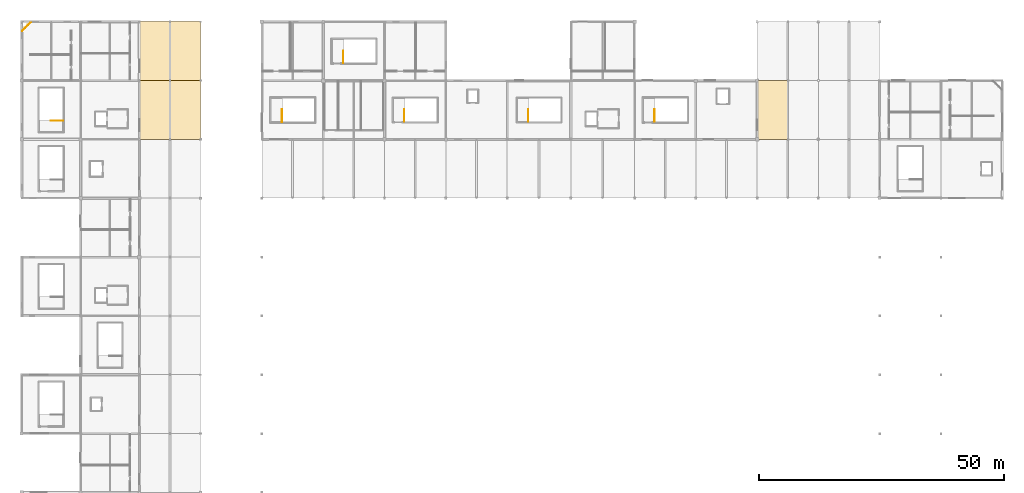
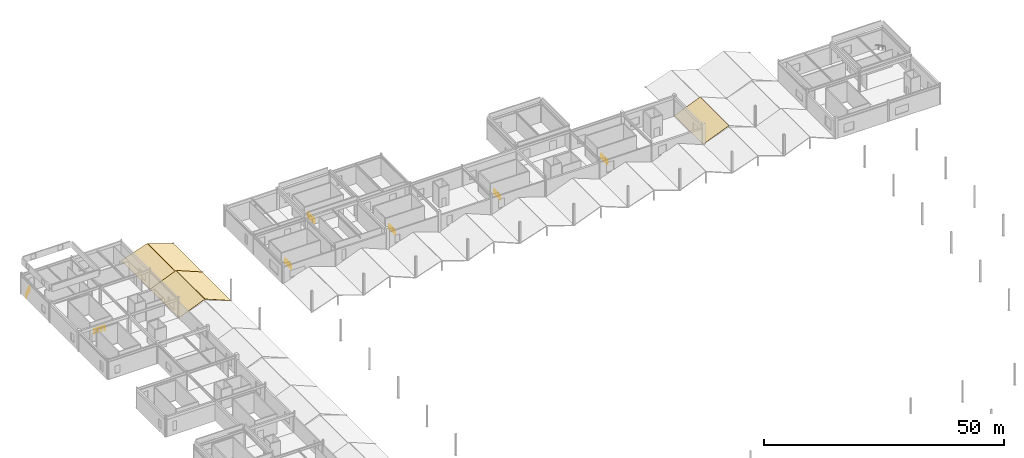
# One storey, part 75 of 76: 7 railings, 5 coverings.
"""IFC4 building model written with IfcOpenShell, lengths in metres."""

from ifc_helpers import new_model, si_unit, direction, frame, origin, origin_2d, place, context, subcontext, project, spatial, polyline, circle, outline, extrude, material, layer, layer_set, type_object, element, save


model = new_model("IFC4")

# Units and contexts
model_context = context("Model", 3, precision=1e-05, world=origin(), true_north=direction((0.0, 1.0)))
body_context = subcontext(model_context, "Body", "Model", "MODEL_VIEW")
ifc_project = project(units=[si_unit("LENGTHUNIT", "METRE"), si_unit("AREAUNIT", "SQUARE_METRE"), si_unit("VOLUMEUNIT", "CUBIC_METRE"), si_unit("PLANEANGLEUNIT", "RADIAN"), si_unit("MASSUNIT", "GRAM", prefix="KILO")], contexts=[model_context])

# Site, building, storey
site_placement = place(None, origin())
site = spatial("IfcSite", under=ifc_project, at=site_placement, CompositionType="ELEMENT")
building_placement = place(site_placement, origin())
building = spatial("IfcBuilding", under=site, at=building_placement, Name="Kazenohara Klinker Stadium", CompositionType="ELEMENT")
storey_placement = place(building_placement, frame((0.0, 0.0, 25.800048828125)))
storey = spatial("IfcBuildingStorey", under=building, at=storey_placement, Name="L05", CompositionType="ELEMENT", Elevation=25.800048828125)

# Coverings
ifc_material_1 = material(Name="Insulated standing-seam copper roofing", Category="metal")
ifc_layer_1 = layer(ifc_material_1, 0.050048828125)
ifc_layer_set_1 = layer_set([ifc_layer_1], Name="Insulated standing-seam copper roofing")
covering_type = type_object("IfcCoveringType", Name="COV-ROOF-01", PredefinedType="ROOFING", material=ifc_layer_set_1)
for number, where, z_axis, x_axis, name in (
    (1, (24.0, 144.0, -0.030029296875), (-0.380383442935, 0.0, 0.924828868678), (0.924828868678, 0.0, 0.380383442935), "Standing-seam copper stepped wing roofing L05-A 3/N"),
    (2, (30.300048828125, 144.0, 2.52001953125), (0.380383442935, 0.0, 0.924828868678), (0.924828868678, 0.0, -0.380383442935), "Standing-seam copper stepped wing roofing L05-B 3/N"),
):
    element("IfcCovering", number, at=place(storey_placement, frame(where, z_axis=z_axis, x_axis=x_axis)), inside=storey, type_object=covering_type, Name=name, PredefinedType="ROOFING", context=body_context, shape_type="SweptSolid", body=[
        extrude(outline(polyline([(0.0, 0.0), (6.703890181040846, 0.0), (6.703890181040846, 12.0), (0.0, 12.0), (0.0, 0.0)])), origin(), (0.0, 0.0, -1.0), 0.050048828125),
    ])
for number, where, z_axis, x_axis, name in (
    (3, (24.0, 156.0, -0.030029296875), (-0.327622925614, 0.0, 0.944808561886), (0.944808561886, 0.0, 0.327622925614), "Standing-seam copper stepped wing roofing L05-A 3/P"),
    (4, (30.300048828125, 156.0, 2.119873046875), (0.327622925614, 0.0, 0.944808561886), (0.944808561886, 0.0, -0.327622925614), "Standing-seam copper stepped wing roofing L05-B 3/P"),
):
    element("IfcCovering", number, at=place(storey_placement, frame(where, z_axis=z_axis, x_axis=x_axis)), inside=storey, type_object=covering_type, Name=name, PredefinedType="ROOFING", context=body_context, shape_type="SweptSolid", body=[
        extrude(outline(polyline([(0.0, 0.0), (6.5621242461032345, 0.0), (6.5621242461032345, 12.0), (0.0, 12.0), (0.0, 0.0)])), origin(), (0.0, 0.0, -1.0), 0.050048828125),
    ])
covering_placement = place(storey_placement, frame((150.0, 144.0, -0.030029296875), z_axis=(-0.380383442935, 0.0, 0.924828868678), x_axis=(0.924828868678, 0.0, 0.380383442935)))
element("IfcCovering", 5, at=covering_placement, inside=storey, type_object=covering_type, Name="Standing-seam copper stepped wing roofing L05-A 13/N", PredefinedType="ROOFING", context=body_context, shape_type="SweptSolid", body=[
    extrude(outline(polyline([(0.0, 0.0), (6.703890181040846, 0.0), (6.703890181040846, 12.0), (0.0, 12.0), (0.0, 0.0)])), origin(), (0.0, 0.0, -1.0), 0.050048828125),
])

# Railings
ifc_material_2 = material(Name="Galvanised powder-coated steel guardrail", Category="steel")
ifc_layer_2 = layer(ifc_material_2, 0.070068359375)
ifc_layer_set_2 = layer_set([ifc_layer_2], Name="Galvanised powder-coated steel guardrail")
railing_type_1 = type_object("IfcRailingType", Name="RL-GRD-1150", PredefinedType="GUARDRAIL", material=ifc_layer_set_2)
railing_1_placement = place(storey_placement, frame((1.8798828125, 167.919921875, 0.0)))
element("IfcRailing", 6, at=railing_1_placement, inside=storey, type_object=railing_type_1, Name="Corner chamfer slab-edge guardrail GR01-SLB-L05-00-13", PredefinedType="GUARDRAIL", context=body_context, shape_type="SweptSolid", body=[
    extrude(circle(Radius=0.02392578125, at=origin_2d()), frame((0.0, 0.0, 1.1259765625), z_axis=(-0.707106781187, -0.707106781187, 0.0), x_axis=(0.707106781187, -0.707106781187, 0.0)), (0.0, 0.0, 1.0), 2.54541015625),
    extrude(circle(Radius=0.02099609375, at=origin_2d()), origin(), (0.0, 0.0, 1.0), 1.101806640625),
    extrude(circle(Radius=0.02099609375, at=origin_2d()), frame((-0.599853515625, -0.599853515625, 0.0)), (0.0, 0.0, 1.0), 1.101806640625),
    extrude(circle(Radius=0.02099609375, at=origin_2d()), frame((-1.199951171875, -1.199951171875, 0.0)), (0.0, 0.0, 1.0), 1.101806640625),
    extrude(circle(Radius=0.02099609375, at=origin_2d()), frame((-1.7998046875, -1.7998046875, 0.0)), (0.0, 0.0, 1.0), 1.101806640625),
])
ifc_material_3 = material(Name="Painted steel stairwell guardrail", Category="steel")
ifc_layer_3 = layer(ifc_material_3, 0.06005859375)
ifc_layer_set_3 = layer_set([ifc_layer_3], Name="Painted steel stairwell guardrail")
railing_type_2 = type_object("IfcRailingType", Name="RL-STG-1120", PredefinedType="GUARDRAIL", material=ifc_layer_set_3)
railing_2_placement = place(storey_placement, frame((8.409912109375, 147.800048828125, 0.0)))
element("IfcRailing", 7, at=railing_2_placement, inside=storey, type_object=railing_type_2, Name="L05 ST06 top well guard 1", PredefinedType="GUARDRAIL", context=body_context, shape_type="SweptSolid", body=[
    extrude(circle(Radius=0.02392578125, at=origin_2d()), frame((0.0, 0.0, 1.1259765625), z_axis=(-1.0, 0.0, 0.0), x_axis=(0.0, -1.0, 0.0)), (0.0, 0.0, 1.0), 2.510009765625),
    extrude(circle(Radius=0.02099609375, at=origin_2d()), origin(), (0.0, 0.0, 1.0), 1.101806640625),
    extrude(circle(Radius=0.02099609375, at=origin_2d()), frame((-0.836669921875, 0.0, 0.0)), (0.0, 0.0, 1.0), 1.101806640625),
    extrude(circle(Radius=0.02099609375, at=origin_2d()), frame((-1.67333984375, 0.0, 0.0)), (0.0, 0.0, 1.0), 1.101806640625),
    extrude(circle(Radius=0.02099609375, at=origin_2d()), frame((-2.510009765625, 0.0, 0.0)), (0.0, 0.0, 1.0), 1.101806640625),
])
railing_3_placement = place(storey_placement, frame((53.080078125, 147.56005859375, 0.0)))
element("IfcRailing", 8, at=railing_3_placement, inside=storey, type_object=railing_type_2, Name="L05 ST08 top well guard 1", PredefinedType="GUARDRAIL", context=body_context, shape_type="SweptSolid", body=[
    extrude(circle(Radius=0.02392578125, at=origin_2d()), frame((0.0, 0.0, 1.1259765625), z_axis=(0.0, 1.0, 0.0), x_axis=(-1.0, 0.0, 0.0)), (0.0, 0.0, 1.0), 2.5400390625),
    extrude(circle(Radius=0.02099609375, at=origin_2d()), origin(), (0.0, 0.0, 1.0), 1.101806640625),
    extrude(circle(Radius=0.02099609375, at=origin_2d()), frame((0.0, 0.8466796875, 0.0)), (0.0, 0.0, 1.0), 1.101806640625),
    extrude(circle(Radius=0.02099609375, at=origin_2d()), frame((0.0, 1.693359375, 0.0)), (0.0, 0.0, 1.0), 1.101806640625),
    extrude(circle(Radius=0.02099609375, at=origin_2d()), frame((0.0, 2.5400390625, 0.0)), (0.0, 0.0, 1.0), 1.101806640625),
])
railing_4_placement = place(storey_placement, frame((78.0400390625, 147.60009765625, 0.0)))
element("IfcRailing", 9, at=railing_4_placement, inside=storey, type_object=railing_type_2, Name="L05 ST09 top well guard 1", PredefinedType="GUARDRAIL", context=body_context, shape_type="SweptSolid", body=[
    extrude(circle(Radius=0.02392578125, at=origin_2d()), frame((0.0, 0.0, 1.1259765625), z_axis=(0.0, 1.0, 0.0), x_axis=(-1.0, 0.0, 0.0)), (0.0, 0.0, 1.0), 2.5),
    extrude(circle(Radius=0.02099609375, at=origin_2d()), origin(), (0.0, 0.0, 1.0), 1.101806640625),
    extrude(circle(Radius=0.02099609375, at=origin_2d()), frame((0.0, 0.833251953125, 0.0)), (0.0, 0.0, 1.0), 1.101806640625),
    extrude(circle(Radius=0.02099609375, at=origin_2d()), frame((0.0, 1.666748046875, 0.0)), (0.0, 0.0, 1.0), 1.101806640625),
    extrude(circle(Radius=0.02099609375, at=origin_2d()), frame((0.0, 2.5, 0.0)), (0.0, 0.0, 1.0), 1.101806640625),
])
railing_5_placement = place(storey_placement, frame((103.300048828125, 147.590087890625, 0.0)))
element("IfcRailing", 10, at=railing_5_placement, inside=storey, type_object=railing_type_2, Name="L05 ST10 top well guard 1", PredefinedType="GUARDRAIL", context=body_context, shape_type="SweptSolid", body=[
    extrude(circle(Radius=0.02392578125, at=origin_2d()), frame((0.0, 0.0, 1.1259765625), z_axis=(0.0, 1.0, 0.0), x_axis=(-1.0, 0.0, 0.0)), (0.0, 0.0, 1.0), 2.510009765625),
    extrude(circle(Radius=0.02099609375, at=origin_2d()), origin(), (0.0, 0.0, 1.0), 1.101806640625),
    extrude(circle(Radius=0.02099609375, at=origin_2d()), frame((0.0, 0.836669921875, 0.0)), (0.0, 0.0, 1.0), 1.101806640625),
    extrude(circle(Radius=0.02099609375, at=origin_2d()), frame((0.0, 1.67333984375, 0.0)), (0.0, 0.0, 1.0), 1.101806640625),
    extrude(circle(Radius=0.02099609375, at=origin_2d()), frame((0.0, 2.510009765625, 0.0)), (0.0, 0.0, 1.0), 1.101806640625),
])
for number, where, name in (
    (11, (129.070068359375, 147.570068359375, 0.0), "L05 ST11 top well guard 1"),
    (12, (65.570068359375, 159.570068359375, 0.0), "L05 ST15 top well guard 1"),
):
    element("IfcRailing", number, at=place(storey_placement, frame(where)), inside=storey, type_object=railing_type_2, Name=name, PredefinedType="GUARDRAIL", context=body_context, shape_type="SweptSolid", body=[
        extrude(circle(Radius=0.02392578125, at=origin_2d()), frame((0.0, 0.0, 1.1259765625), z_axis=(0.0, 1.0, 0.0), x_axis=(-1.0, 0.0, 0.0)), (0.0, 0.0, 1.0), 2.530029296875),
        extrude(circle(Radius=0.02099609375, at=origin_2d()), origin(), (0.0, 0.0, 1.0), 1.101806640625),
        extrude(circle(Radius=0.02099609375, at=origin_2d()), frame((0.0, 0.84326171875, 0.0)), (0.0, 0.0, 1.0), 1.101806640625),
        extrude(circle(Radius=0.02099609375, at=origin_2d()), frame((0.0, 1.686767578125, 0.0)), (0.0, 0.0, 1.0), 1.101806640625),
        extrude(circle(Radius=0.02099609375, at=origin_2d()), frame((0.0, 2.530029296875, 0.0)), (0.0, 0.0, 1.0), 1.101806640625),
    ])

save(model, "model.ifc")
